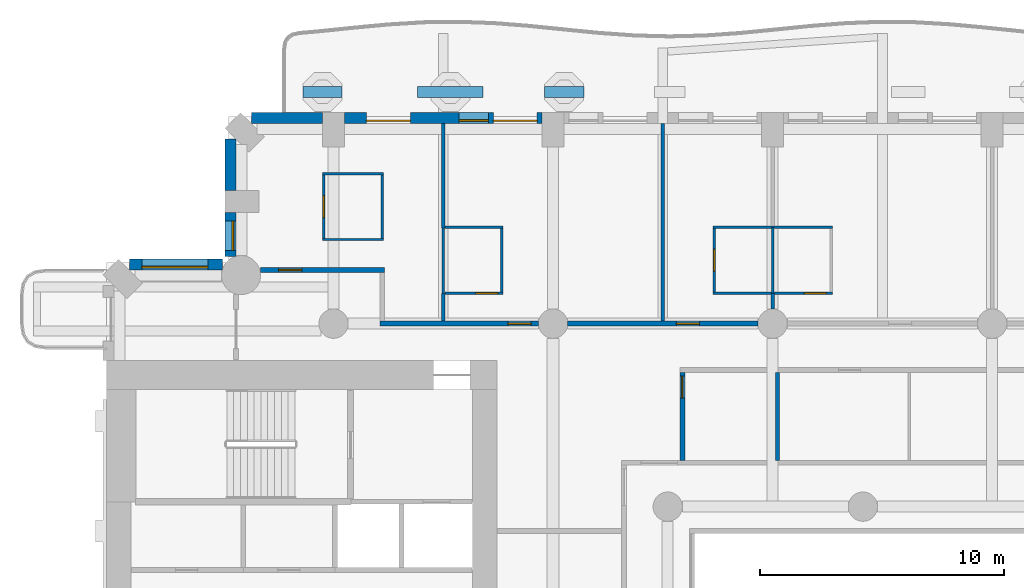
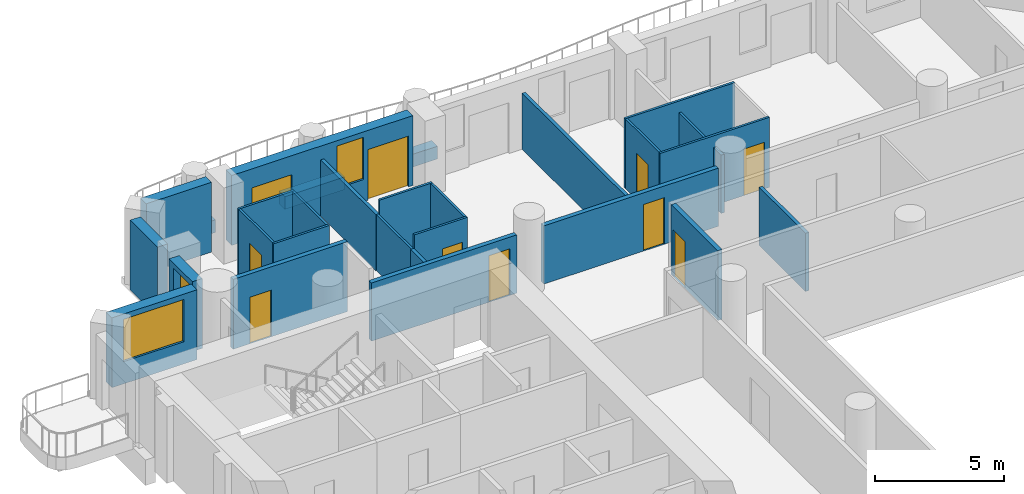
# One storey, part 8 of 20: 29 walls, 10 doors, 3 windows, 13 openings.
"""IFC4 building model written with IfcOpenShell, lengths in metres."""

from ifc_helpers import new_model, si_unit, direction, frame, frame_2d, origin, place, context, subcontext, project, spatial, rectangle, extrude, material, layer, layer_set, type_object, element, fill, save


model = new_model("IFC4")

# Units and contexts
model_context = context("Model", 3, precision=1e-05, world=origin(), true_north=direction((0.0, 1.0)))
body_context = subcontext(model_context, "Body", "Model", "MODEL_VIEW")
ifc_project = project(units=[si_unit("LENGTHUNIT", "METRE"), si_unit("AREAUNIT", "SQUARE_METRE"), si_unit("VOLUMEUNIT", "CUBIC_METRE"), si_unit("PLANEANGLEUNIT", "RADIAN"), si_unit("MASSUNIT", "GRAM", prefix="KILO")], contexts=[model_context])

# Site, building, storey
site_placement = place(None, origin())
site = spatial("IfcSite", under=ifc_project, at=site_placement, CompositionType="ELEMENT")
building_placement = place(site_placement, origin())
building = spatial("IfcBuilding", under=site, at=building_placement, Name="Cypress Arch Tower", CompositionType="ELEMENT")
storey_placement = place(building_placement, frame((0.0, 0.0, 87.89990234375)))
storey = spatial("IfcBuildingStorey", under=building, at=storey_placement, Name="L16", CompositionType="ELEMENT", Elevation=87.89990234375)

# Walls
ifc_material_1 = material(Name="Concrete C40/50, waterproofed", Category="concrete")
ifc_layer_1 = layer(ifc_material_1, 0.449951171875)
ifc_layer_set_1 = layer_set([ifc_layer_1], Name="Balcony planter wall PW450")
wall_type_1 = type_object("IfcWallType", Name="Balcony planter wall PW450", PredefinedType="SOLIDWALL", material=ifc_layer_set_1)
wall_1_placement = place(storey_placement, frame((-10.4375, 27.0, 0.0), z_axis=(0.0, 0.0, 1.0), x_axis=(-1.0, 0.0, 0.0)))
element("IfcWall", 1, at=wall_1_placement, inside=storey, type_object=wall_type_1, Name="Balcony planter wall L16-A08.4", PredefinedType="SOLIDWALL", context=body_context, shape_type="SweptSolid", body=[
    extrude(rectangle(XDim=1.612548828125, YDim=0.449951171875, at=frame_2d((0.80615234375, 0.0))), origin(), (0.0, 0.0, 1.0), 0.60009765625),
])
wall_2_placement = place(storey_placement, frame((-14.574951171875, 27.0, 0.0), z_axis=(0.0, 0.0, 1.0), x_axis=(-1.0, 0.0, 0.0)))
element("IfcWall", 2, at=wall_2_placement, inside=storey, type_object=wall_type_1, Name="Balcony planter wall L16-A08.5", PredefinedType="SOLIDWALL", context=body_context, shape_type="SweptSolid", body=[
    extrude(rectangle(XDim=2.675048828125, YDim=0.449951171875, at=frame_2d((1.33740234375, 0.0))), origin(), (0.0, 0.0, 1.0), 0.60009765625),
])
wall_3_placement = place(storey_placement, frame((-20.35009765625, 27.0, 0.0), z_axis=(0.0, 0.0, 1.0), x_axis=(-1.0, 0.0, 0.0)))
element("IfcWall", 3, at=wall_3_placement, inside=storey, type_object=wall_type_1, Name="Balcony planter wall L16-A08.6", PredefinedType="SOLIDWALL", context=body_context, shape_type="SweptSolid", body=[
    extrude(rectangle(XDim=1.599853515625, YDim=0.449951171875, at=frame_2d((0.7998046875, 0.0))), origin(), (0.0, 0.0, 1.0), 0.60009765625),
])

# Wall, openings, doors, window
ifc_material_2 = material(Name="Brick (red buff blend)", Category="masonry")
ifc_layer_2 = layer(ifc_material_2, 0.449951171875)
ifc_layer_set_2 = layer_set([ifc_layer_2], Name="Brick pier and spandrel wall BW450")
wall_type_2 = type_object("IfcWallType", Name="Brick pier and spandrel wall BW450", PredefinedType="SOLIDWALL", material=ifc_layer_set_2)
wall_4_placement = place(storey_placement, frame((-12.14990234375, 25.925048828125, 0.0), z_axis=(0.0, 0.0, 1.0), x_axis=(-1.0, 0.0, 0.0)))
wall_4 = element("IfcWall", 4, at=wall_4_placement, inside=storey, type_object=wall_type_2, Name="Brick wall L16 A08.3", PredefinedType="SOLIDWALL", context=body_context, shape_type="SweptSolid", body=[
    extrude(rectangle(XDim=8.10009765625, YDim=0.449951171875, at=frame_2d((4.050048828125, 0.0))), origin(), (0.0, 0.0, 1.0), 3.300048828125),
])
opening_1_placement = place(wall_4_placement, frame((0.199951171875, 0.0, 0.0)))
opening_1 = element("IfcOpeningElement", 5, at=opening_1_placement, cuts=wall_4, Name="Opening D-L16-A08.3.1", PredefinedType="OPENING", context=body_context, shape_type="SweptSolid", body=[
    extrude(rectangle(XDim=1.800048828125, YDim=2.39990234375, at=frame_2d((0.89990234375, 1.199951171875))), frame((0.0, 0.23486328125, 0.0), z_axis=(0.0, -1.0, 0.0), x_axis=(1.0, 0.0, 0.0)), (0.0, 0.0, 1.0), 0.469970703125),
])
opening_2_placement = place(wall_4_placement, frame((2.199951171875, 0.0, 1.050048828125)))
opening_2 = element("IfcOpeningElement", 6, at=opening_2_placement, cuts=wall_4, Name="Opening W120HD", PredefinedType="OPENING", context=body_context, shape_type="SweptSolid", body=[
    extrude(rectangle(XDim=1.199951171875, YDim=2.0, at=frame_2d((0.60009765625, 1.0))), frame((0.0, 0.23486328125, 0.0), z_axis=(0.0, -1.0, 0.0), x_axis=(1.0, 0.0, 0.0)), (0.0, 0.0, 1.0), 0.469970703125),
])
opening_3_placement = place(wall_4_placement, frame((5.39990234375, 0.0, 0.0)))
opening_3 = element("IfcOpeningElement", 7, at=opening_3_placement, cuts=wall_4, Name="Opening D-L16-A08.3.2", PredefinedType="OPENING", context=body_context, shape_type="SweptSolid", body=[
    extrude(rectangle(XDim=1.800048828125, YDim=2.39990234375, at=frame_2d((0.89990234375, 1.199951171875))), frame((0.0, 0.23486328125, 0.0), z_axis=(0.0, -1.0, 0.0), x_axis=(1.0, 0.0, 0.0)), (0.0, 0.0, 1.0), 0.469970703125),
])
ifc_material_3 = material(Name="Anodised aluminium, bronze finish, laminated low-emissivity double glazing, large-missile impact rated", Category="aluminium")
door_type_1 = type_object("IfcDoorType", Name="Balcony sliding door 1800x2400", OperationType="SLIDING_TO_LEFT", PredefinedType="DOOR", material=ifc_material_3)
door_1_placement = place(opening_1_placement, origin())
door_1 = element("IfcDoor", 8, at=door_1_placement, inside=storey, type_object=door_type_1, Name="Balcony door L16 A08.3.1", OperationType="SLIDING_TO_LEFT", OverallHeight=2.39990234375, OverallWidth=1.800048828125, PredefinedType="DOOR", context=body_context, shape_type="SweptSolid", body=[
    extrude(rectangle(XDim=1.800048828125, YDim=2.39990234375, at=frame_2d((0.89990234375, 1.199951171875))), frame((0.0, 0.1298828125, 0.0), z_axis=(0.0, -1.0, 0.0), x_axis=(1.0, 0.0, 0.0)), (0.0, 0.0, 1.0), 0.050048828125),
])
fill(opening_1, door_1)
door_2_placement = place(opening_3_placement, origin())
door_2 = element("IfcDoor", 9, at=door_2_placement, inside=storey, type_object=door_type_1, Name="Balcony door L16 A08.3.2", OperationType="SLIDING_TO_LEFT", OverallHeight=2.39990234375, OverallWidth=1.800048828125, PredefinedType="DOOR", context=body_context, shape_type="SweptSolid", body=[
    extrude(rectangle(XDim=1.800048828125, YDim=2.39990234375, at=frame_2d((0.89990234375, 1.199951171875))), frame((0.0, 0.1298828125, 0.0), z_axis=(0.0, -1.0, 0.0), x_axis=(1.0, 0.0, 0.0)), (0.0, 0.0, 1.0), 0.050048828125),
])
fill(opening_3, door_2)
ifc_material_4 = material(Name="Anodised aluminium, bronze finish, laminated low-emissivity double glazing, large-missile impact rated", Category="aluminium")
window_type_1 = type_object("IfcWindowType", Name="Window Hotel 1200x2000 debris-rated", PartitioningType="SINGLE_PANEL", PredefinedType="WINDOW", material=ifc_material_4)
window_1_placement = place(opening_2_placement, origin())
window_1 = element("IfcWindow", 10, at=window_1_placement, inside=storey, type_object=window_type_1, Name="Window L16 A08.3.1", OverallHeight=2.0, OverallWidth=1.199951171875, PartitioningType="SINGLE_PANEL", PredefinedType="WINDOW", context=body_context, shape_type="SweptSolid", body=[
    extrude(rectangle(XDim=1.199951171875, YDim=2.0, at=frame_2d((0.60009765625, 1.0))), frame((0.0, 0.135009765625, 0.0), z_axis=(0.0, -1.0, 0.0), x_axis=(1.0, 0.0, 0.0)), (0.0, 0.0, 1.0), 0.06005859375),
])
fill(opening_2, window_1)

# Walls
wall_5_placement = place(storey_placement, frame((-21.14990234375, 25.925048828125, 0.0), z_axis=(0.0, 0.0, 1.0), x_axis=(-1.0, 0.0, 0.0)))
element("IfcWall", 11, at=wall_5_placement, inside=storey, type_object=wall_type_2, Name="Brick wall L16 A08.4", PredefinedType="SOLIDWALL", context=body_context, shape_type="SweptSolid", body=[
    extrude(rectangle(XDim=2.913818359375, YDim=0.449951171875, at=frame_2d((1.45703125, 0.0))), origin(), (0.0, 0.0, 1.0), 3.300048828125),
])
wall_6_placement = place(storey_placement, frame((-24.925048828125, 25.063720703125, 0.0), z_axis=(0.0, 0.0, 1.0), x_axis=(0.0, -1.0, 0.0)))
element("IfcWall", 12, at=wall_6_placement, inside=storey, type_object=wall_type_2, Name="Brick wall L16 A09.0", PredefinedType="SOLIDWALL", context=body_context, shape_type="SweptSolid", body=[
    extrude(rectangle(XDim=2.11376953125, YDim=0.449951171875, at=frame_2d((1.056884765625, 0.0))), origin(), (0.0, 0.0, 1.0), 3.300048828125),
])

# Wall, opening, window
wall_7_placement = place(storey_placement, frame((-24.925048828125, 22.050048828125, 0.0), z_axis=(0.0, 0.0, 1.0), x_axis=(0.0, -1.0, 0.0)))
wall_7 = element("IfcWall", 13, at=wall_7_placement, inside=storey, type_object=wall_type_2, Name="Brick wall L16 A09.1", PredefinedType="SOLIDWALL", context=body_context, shape_type="SweptSolid", body=[
    extrude(rectangle(XDim=1.79150390625, YDim=0.449951171875, at=frame_2d((0.895751953125, 0.0))), origin(), (0.0, 0.0, 1.0), 3.300048828125),
])
opening_4_placement = place(wall_7_placement, frame((0.35009765625, 0.0, 1.050048828125)))
opening_4 = element("IfcOpeningElement", 14, at=opening_4_placement, cuts=wall_7, Name="Opening W120H", PredefinedType="OPENING", context=body_context, shape_type="SweptSolid", body=[
    extrude(rectangle(XDim=1.199951171875, YDim=2.0, at=frame_2d((0.60009765625, 1.0))), frame((0.0, 0.23486328125, 0.0), z_axis=(0.0, -1.0, 0.0), x_axis=(1.0, 0.0, 0.0)), (0.0, 0.0, 1.0), 0.469970703125),
])
ifc_material_5 = material(Name="Anodised aluminium, bronze finish, clear low-emissivity double glazing", Category="aluminium")
window_type_2 = type_object("IfcWindowType", Name="Window Hotel 1200x2000", PartitioningType="SINGLE_PANEL", PredefinedType="WINDOW", material=ifc_material_5)
window_2_placement = place(opening_4_placement, origin())
window_2 = element("IfcWindow", 15, at=window_2_placement, inside=storey, type_object=window_type_2, Name="Window L16 A09.1.1", OverallHeight=2.0, OverallWidth=1.199951171875, PartitioningType="SINGLE_PANEL", PredefinedType="WINDOW", context=body_context, shape_type="SweptSolid", body=[
    extrude(rectangle(XDim=1.199951171875, YDim=2.0, at=frame_2d((0.60009765625, 1.0))), frame((0.0, 0.135009765625, 0.0), z_axis=(0.0, -1.0, 0.0), x_axis=(1.0, 0.0, 0.0)), (0.0, 0.0, 1.0), 0.06005859375),
])
fill(opening_4, window_2)

wall_8_placement = place(storey_placement, frame((-25.258544921875, 19.925048828125, 0.0), z_axis=(0.0, 0.0, 1.0), x_axis=(-1.0, 0.0, 0.0)))
wall_8 = element("IfcWall", 16, at=wall_8_placement, inside=storey, type_object=wall_type_2, Name="Brick wall L16 A10.0", PredefinedType="SOLIDWALL", context=body_context, shape_type="SweptSolid", body=[
    extrude(rectangle(XDim=3.80517578125, YDim=0.449951171875, at=frame_2d((1.902587890625, 0.0))), origin(), (0.0, 0.0, 1.0), 3.300048828125),
])
opening_5_placement = place(wall_8_placement, frame((0.591552734375, 0.0, 1.050048828125)))
opening_5 = element("IfcOpeningElement", 17, at=opening_5_placement, cuts=wall_8, Name="Opening W270H", PredefinedType="OPENING", context=body_context, shape_type="SweptSolid", body=[
    extrude(rectangle(XDim=2.699951171875, YDim=2.0, at=frame_2d((1.35009765625, 1.0))), frame((0.0, 0.23486328125, 0.0), z_axis=(0.0, -1.0, 0.0), x_axis=(1.0, 0.0, 0.0)), (0.0, 0.0, 1.0), 0.469970703125),
])
ifc_material_6 = material(Name="Anodised aluminium, bronze finish, clear low-emissivity double glazing", Category="aluminium")
window_type_3 = type_object("IfcWindowType", Name="Window Hotel 2700x2000", PartitioningType="SINGLE_PANEL", PredefinedType="WINDOW", material=ifc_material_6)
window_3_placement = place(opening_5_placement, origin())
window_3 = element("IfcWindow", 18, at=window_3_placement, inside=storey, type_object=window_type_3, Name="Window L16 A10.0.1", OverallHeight=2.0, OverallWidth=2.699951171875, PartitioningType="SINGLE_PANEL", PredefinedType="WINDOW", context=body_context, shape_type="SweptSolid", body=[
    extrude(rectangle(XDim=2.699951171875, YDim=2.0, at=frame_2d((1.35009765625, 1.0))), frame((0.0, 0.135009765625, 0.0), z_axis=(0.0, -1.0, 0.0), x_axis=(1.0, 0.0, 0.0)), (0.0, 0.0, 1.0), 0.06005859375),
])
fill(opening_5, window_3)

# Wall, opening, door
ifc_material_7 = material(Name="Concrete blockwork, plastered, rated", Category="masonry")
ifc_layer_3 = layer(ifc_material_7, 0.199951171875)
ifc_layer_set_3 = layer_set([ifc_layer_3], Name="Corridor wall FW200")
wall_type_3 = type_object("IfcWallType", Name="Corridor wall FW200", PredefinedType="PARTITIONING", material=ifc_layer_set_3)
wall_9_placement = place(storey_placement, frame((-23.7001953125, 19.699951171875, 0.0), z_axis=(0.0, 0.0, 1.0), x_axis=(1.0, 0.0, 0.0)))
wall_9 = element("IfcWall", 19, at=wall_9_placement, inside=storey, type_object=wall_type_3, Name="Corridor wall", PredefinedType="PARTITIONING", context=body_context, shape_type="SweptSolid", body=[
    extrude(rectangle(XDim=5.10009765625, YDim=0.199951171875, at=frame_2d((2.550048828125, 0.0))), origin(), (0.0, 0.0, 1.0), 3.300048828125),
])
opening_6_placement = place(wall_9_placement, frame((0.75, 0.0, 0.0)))
opening_6 = element("IfcOpeningElement", 20, at=opening_6_placement, cuts=wall_9, Name="Opening D02", PredefinedType="OPENING", context=body_context, shape_type="SweptSolid", body=[
    extrude(rectangle(XDim=0.949951171875, YDim=2.199951171875, at=frame_2d((0.47509765625, 1.10009765625))), frame((0.0, 0.10986328125, 0.0), z_axis=(0.0, -1.0, 0.0), x_axis=(1.0, 0.0, 0.0)), (0.0, 0.0, 1.0), 0.219970703125),
])
ifc_material_8 = material(Name="Timber flush door, fire resisting", Category="wood")
door_type_2 = type_object("IfcDoorType", Name="Room door D02 950x2200", OperationType="SINGLE_SWING_LEFT", PredefinedType="DOOR", material=ifc_material_8)
door_3_placement = place(opening_6_placement, origin())
door_3 = element("IfcDoor", 21, at=door_3_placement, inside=storey, type_object=door_type_2, Name="Room door", OperationType="SINGLE_SWING_LEFT", OverallHeight=2.199951171875, OverallWidth=0.949951171875, PredefinedType="DOOR", context=body_context, shape_type="SweptSolid", body=[
    extrude(rectangle(XDim=0.949951171875, YDim=2.199951171875, at=frame_2d((0.47509765625, 1.10009765625))), frame((0.0, 0.02490234375, 0.0), z_axis=(0.0, -1.0, 0.0), x_axis=(1.0, 0.0, 0.0)), (0.0, 0.0, 1.0), 0.050048828125),
])
fill(opening_6, door_3)

wall_10_placement = place(storey_placement, frame((-18.800048828125, 17.5, 0.0), z_axis=(0.0, 0.0, 1.0), x_axis=(1.0, 0.0, 0.0)))
wall_10 = element("IfcWall", 22, at=wall_10_placement, inside=storey, type_object=wall_type_3, Name="Corridor wall", PredefinedType="PARTITIONING", context=body_context, shape_type="SweptSolid", body=[
    extrude(rectangle(XDim=6.5, YDim=0.199951171875, at=frame_2d((3.25, 0.0))), origin(), (0.0, 0.0, 1.0), 2.75),
])
opening_7_placement = place(wall_10_placement, frame((5.25, 0.0, 0.0)))
opening_7 = element("IfcOpeningElement", 23, at=opening_7_placement, cuts=wall_10, Name="Opening D02", PredefinedType="OPENING", context=body_context, shape_type="SweptSolid", body=[
    extrude(rectangle(XDim=0.949951171875, YDim=2.199951171875, at=frame_2d((0.47509765625, 1.10009765625))), frame((0.0, 0.10986328125, 0.0), z_axis=(0.0, -1.0, 0.0), x_axis=(1.0, 0.0, 0.0)), (0.0, 0.0, 1.0), 0.219970703125),
])
door_4_placement = place(opening_7_placement, origin())
door_4 = element("IfcDoor", 24, at=door_4_placement, inside=storey, type_object=door_type_2, Name="Room door", OperationType="SINGLE_SWING_RIGHT", OverallHeight=2.199951171875, OverallWidth=0.949951171875, PredefinedType="DOOR", context=body_context, shape_type="SweptSolid", body=[
    extrude(rectangle(XDim=0.949951171875, YDim=2.199951171875, at=frame_2d((0.47509765625, 1.10009765625))), frame((0.0, 0.02490234375, 0.0), z_axis=(0.0, -1.0, 0.0), x_axis=(1.0, 0.0, 0.0)), (0.0, 0.0, 1.0), 0.050048828125),
])
fill(opening_7, door_4)

wall_11_placement = place(storey_placement, frame((-11.10009765625, 17.5, 0.0), z_axis=(0.0, 0.0, 1.0), x_axis=(1.0, 0.0, 0.0)))
wall_11 = element("IfcWall", 25, at=wall_11_placement, inside=storey, type_object=wall_type_3, Name="Corridor wall", PredefinedType="PARTITIONING", context=body_context, shape_type="SweptSolid", body=[
    extrude(rectangle(XDim=7.800048828125, YDim=0.199951171875, at=frame_2d((3.89990234375, 0.0))), origin(), (0.0, 0.0, 1.0), 2.75),
])
opening_8_placement = place(wall_11_placement, frame((4.449951171875, 0.0, 0.0)))
opening_8 = element("IfcOpeningElement", 26, at=opening_8_placement, cuts=wall_11, Name="Opening D02", PredefinedType="OPENING", context=body_context, shape_type="SweptSolid", body=[
    extrude(rectangle(XDim=0.949951171875, YDim=2.199951171875, at=frame_2d((0.47509765625, 1.10009765625))), frame((0.0, 0.10986328125, 0.0), z_axis=(0.0, -1.0, 0.0), x_axis=(1.0, 0.0, 0.0)), (0.0, 0.0, 1.0), 0.219970703125),
])
door_5_placement = place(opening_8_placement, origin())
door_5 = element("IfcDoor", 27, at=door_5_placement, inside=storey, type_object=door_type_2, Name="Room door", OperationType="SINGLE_SWING_LEFT", OverallHeight=2.199951171875, OverallWidth=0.949951171875, PredefinedType="DOOR", context=body_context, shape_type="SweptSolid", body=[
    extrude(rectangle(XDim=0.949951171875, YDim=2.199951171875, at=frame_2d((0.47509765625, 1.10009765625))), frame((0.0, 0.02490234375, 0.0), z_axis=(0.0, -1.0, 0.0), x_axis=(1.0, 0.0, 0.0)), (0.0, 0.0, 1.0), 0.050048828125),
])
fill(opening_8, door_5)

wall_12_placement = place(storey_placement, frame((-6.39990234375, 11.89990234375, 0.0), z_axis=(0.0, 0.0, 1.0), x_axis=(0.0, 1.0, 0.0)))
wall_12 = element("IfcWall", 28, at=wall_12_placement, inside=storey, type_object=wall_type_3, Name="Corridor wall", PredefinedType="PARTITIONING", context=body_context, shape_type="SweptSolid", body=[
    extrude(rectangle(XDim=3.60009765625, YDim=0.199951171875, at=frame_2d((1.800048828125, 0.0))), origin(), (0.0, 0.0, 1.0), 3.300048828125),
])
opening_9_placement = place(wall_12_placement, frame((2.550048828125, 0.0, 0.0)))
opening_9 = element("IfcOpeningElement", 29, at=opening_9_placement, cuts=wall_12, Name="Opening D05", PredefinedType="OPENING", context=body_context, shape_type="SweptSolid", body=[
    extrude(rectangle(XDim=0.89990234375, YDim=2.199951171875, at=frame_2d((0.449951171875, 1.10009765625))), frame((0.0, 0.10986328125, 0.0), z_axis=(0.0, -1.0, 0.0), x_axis=(1.0, 0.0, 0.0)), (0.0, 0.0, 1.0), 0.219970703125),
])
ifc_material_9 = material(Name="Timber flush door", Category="wood")
door_type_3 = type_object("IfcDoorType", Name="Service door D05 900x2200", OperationType="SINGLE_SWING_LEFT", PredefinedType="DOOR", material=ifc_material_9)
door_6_placement = place(opening_9_placement, origin())
door_6 = element("IfcDoor", 30, at=door_6_placement, inside=storey, type_object=door_type_3, Name="Service door", OperationType="SINGLE_SWING_LEFT", OverallHeight=2.199951171875, OverallWidth=0.89990234375, PredefinedType="DOOR", context=body_context, shape_type="SweptSolid", body=[
    extrude(rectangle(XDim=0.89990234375, YDim=2.199951171875, at=frame_2d((0.449951171875, 1.10009765625))), frame((0.0, 0.02490234375, 0.0), z_axis=(0.0, -1.0, 0.0), x_axis=(1.0, 0.0, 0.0)), (0.0, 0.0, 1.0), 0.050048828125),
])
fill(opening_9, door_6)

# Walls
ifc_material_10 = material(Name="Blockwork, plastered both sides", Category="masonry")
ifc_layer_4 = layer(ifc_material_10, 0.14990234375)
ifc_layer_set_4 = layer_set([ifc_layer_4], Name="Partition PW150")
wall_type_4 = type_object("IfcWallType", Name="Partition PW150", PredefinedType="PARTITIONING", material=ifc_layer_set_4)
wall_13_placement = place(storey_placement, frame((-16.199951171875, 17.60009765625, 0.0), z_axis=(0.0, 0.0, 1.0), x_axis=(0.0, 1.0, 0.0)))
element("IfcWall", 31, at=wall_13_placement, inside=storey, type_object=wall_type_4, Name="Partition", PredefinedType="PARTITIONING", context=body_context, shape_type="SweptSolid", body=[
    extrude(rectangle(XDim=1.1298828125, YDim=0.14990234375, at=frame_2d((0.56494140625, 0.0))), origin(), (0.0, 0.0, 1.0), 2.650146484375),
])
wall_14_placement = place(storey_placement, frame((-16.199951171875, 21.429931640625, 0.0), z_axis=(0.0, 0.0, 1.0), x_axis=(0.0, 1.0, 0.0)))
element("IfcWall", 32, at=wall_14_placement, inside=storey, type_object=wall_type_4, Name="Partition", PredefinedType="PARTITIONING", context=body_context, shape_type="SweptSolid", body=[
    extrude(rectangle(XDim=4.27001953125, YDim=0.14990234375, at=frame_2d((2.135009765625, 0.0))), origin(), (0.0, 0.0, 1.0), 2.650146484375),
])
wall_15_placement = place(storey_placement, frame((-7.199951171875, 17.60009765625, 0.0), z_axis=(0.0, 0.0, 1.0), x_axis=(0.0, 1.0, 0.0)))
element("IfcWall", 33, at=wall_15_placement, inside=storey, type_object=wall_type_4, Name="Partition", PredefinedType="PARTITIONING", context=body_context, shape_type="SweptSolid", body=[
    extrude(rectangle(XDim=8.099853515625, YDim=0.14990234375, at=frame_2d((4.0498046875, 0.0))), origin(), (0.0, 0.0, 1.0), 2.650146484375),
])
wall_16_placement = place(storey_placement, frame((-2.699951171875, 18.10009765625, 0.0), z_axis=(0.0, 0.0, 1.0), x_axis=(0.0, 1.0, 0.0)))
element("IfcWall", 34, at=wall_16_placement, inside=storey, type_object=wall_type_4, Name="Partition", PredefinedType="PARTITIONING", context=body_context, shape_type="SweptSolid", body=[
    extrude(rectangle(XDim=0.6298828125, YDim=0.14990234375, at=frame_2d((0.31494140625, 0.0))), origin(), (0.0, 0.0, 1.0), 2.75),
])
wall_17_placement = place(storey_placement, frame((-2.5, 11.89990234375, 0.0), z_axis=(0.0, 0.0, 1.0), x_axis=(0.0, 1.0, 0.0)))
element("IfcWall", 35, at=wall_17_placement, inside=storey, type_object=wall_type_4, Name="Partition", PredefinedType="PARTITIONING", context=body_context, shape_type="SweptSolid", body=[
    extrude(rectangle(XDim=3.60009765625, YDim=0.14990234375, at=frame_2d((1.800048828125, 0.0))), origin(), (0.0, 0.0, 1.0), 2.75),
])

# Wall, opening, door
ifc_material_11 = material(Name="Moisture resistant board on steel studs, tiled", Category="steel")
ifc_layer_5 = layer(ifc_material_11, 0.10009765625)
ifc_layer_set_5 = layer_set([ifc_layer_5], Name="Wet wall PW100")
wall_type_5 = type_object("IfcWallType", Name="Wet wall PW100", PredefinedType="PARTITIONING", material=ifc_layer_set_5)
wall_18_placement = place(storey_placement, frame((-21.10009765625, 21.0, 0.0), z_axis=(0.0, 0.0, 1.0), x_axis=(0.0, 1.0, 0.0)))
wall_18 = element("IfcWall", 36, at=wall_18_placement, inside=storey, type_object=wall_type_5, Name="Wet wall", PredefinedType="PARTITIONING", context=body_context, shape_type="SweptSolid", body=[
    extrude(rectangle(XDim=2.60009765625, YDim=0.10009765625, at=frame_2d((1.300048828125, 0.0))), origin(), (0.0, 0.0, 1.0), 3.300048828125),
])
opening_10_placement = place(wall_18_placement, frame((0.85009765625, 0.0, 0.0)))
opening_10 = element("IfcOpeningElement", 37, at=opening_10_placement, cuts=wall_18, Name="Opening D03", PredefinedType="OPENING", context=body_context, shape_type="SweptSolid", body=[
    extrude(rectangle(XDim=0.89990234375, YDim=2.199951171875, at=frame_2d((0.449951171875, 1.10009765625))), frame((0.0, 0.06005859375, 0.0), z_axis=(0.0, -1.0, 0.0), x_axis=(1.0, 0.0, 0.0)), (0.0, 0.0, 1.0), 0.1201171875),
])
ifc_material_12 = material(Name="Timber flush door, moisture resistant", Category="wood")
door_type_4 = type_object("IfcDoorType", Name="Bathroom door D03 900x2200", OperationType="SINGLE_SWING_LEFT", PredefinedType="DOOR", material=ifc_material_12)
door_7_placement = place(opening_10_placement, origin())
door_7 = element("IfcDoor", 38, at=door_7_placement, inside=storey, type_object=door_type_4, Name="Bathroom door", OperationType="SINGLE_SWING_LEFT", OverallHeight=2.199951171875, OverallWidth=0.89990234375, PredefinedType="DOOR", context=body_context, shape_type="SweptSolid", body=[
    extrude(rectangle(XDim=0.89990234375, YDim=2.199951171875, at=frame_2d((0.449951171875, 1.10009765625))), frame((0.0, 0.02490234375, 0.0), z_axis=(0.0, -1.0, 0.0), x_axis=(1.0, 0.0, 0.0)), (0.0, 0.0, 1.0), 0.050048828125),
])
fill(opening_10, door_7)

# Walls
for number, where, z_axis, x_axis, name in (
    (39, (-21.14990234375, 20.949951171875, 0.0), (0.0, 0.0, 1.0), (1.0, 0.0, 0.0), "Wet wall"),
    (40, (-21.14990234375, 23.64990234375, 0.0), (0.0, 0.0, 1.0), (1.0, 0.0, 0.0), "Wet wall"),
):
    element("IfcWall", number, at=place(storey_placement, frame(where, z_axis=z_axis, x_axis=x_axis)), inside=storey, type_object=wall_type_5, Name=name, PredefinedType="PARTITIONING", context=body_context, shape_type="SweptSolid", body=[
        extrude(rectangle(XDim=2.5, YDim=0.10009765625, at=frame_2d((1.25, 0.0))), origin(), (0.0, 0.0, 1.0), 3.300048828125),
    ])
wall_19_placement = place(storey_placement, frame((-18.699951171875, 21.0, 0.0), z_axis=(0.0, 0.0, 1.0), x_axis=(0.0, 1.0, 0.0)))
element("IfcWall", 41, at=wall_19_placement, inside=storey, type_object=wall_type_5, Name="Wet wall", PredefinedType="PARTITIONING", context=body_context, shape_type="SweptSolid", body=[
    extrude(rectangle(XDim=2.60009765625, YDim=0.10009765625, at=frame_2d((1.300048828125, 0.0))), origin(), (0.0, 0.0, 1.0), 3.300048828125),
])
wall_20_placement = place(storey_placement, frame((-16.199951171875, 18.72998046875, 0.0), z_axis=(0.0, 0.0, 1.0), x_axis=(0.0, 1.0, 0.0)))
element("IfcWall", 42, at=wall_20_placement, inside=storey, type_object=wall_type_5, Name="Wet wall", PredefinedType="PARTITIONING", context=body_context, shape_type="SweptSolid", body=[
    extrude(rectangle(XDim=2.699951171875, YDim=0.10009765625, at=frame_2d((1.35009765625, 0.0))), origin(), (0.0, 0.0, 1.0), 2.650146484375),
])

# Wall, opening, door
wall_21_placement = place(storey_placement, frame((-16.125, 18.75, 0.0), z_axis=(0.0, 0.0, 1.0), x_axis=(1.0, 0.0, 0.0)))
wall_21 = element("IfcWall", 43, at=wall_21_placement, inside=storey, type_object=wall_type_5, Name="Wet wall", PredefinedType="PARTITIONING", context=body_context, shape_type="SweptSolid", body=[
    extrude(rectangle(XDim=2.37109375, YDim=0.10009765625, at=frame_2d((1.185546875, 0.0))), origin(), (0.0, 0.0, 1.0), 3.300048828125),
])
opening_11_placement = place(wall_21_placement, frame((1.25, 0.0, 0.0)))
opening_11 = element("IfcOpeningElement", 44, at=opening_11_placement, cuts=wall_21, Name="Opening D03", PredefinedType="OPENING", context=body_context, shape_type="SweptSolid", body=[
    extrude(rectangle(XDim=0.89990234375, YDim=2.199951171875, at=frame_2d((0.449951171875, 1.10009765625))), frame((0.0, 0.06005859375, 0.0), z_axis=(0.0, -1.0, 0.0), x_axis=(1.0, 0.0, 0.0)), (0.0, 0.0, 1.0), 0.1201171875),
])
door_8_placement = place(opening_11_placement, origin())
door_8 = element("IfcDoor", 45, at=door_8_placement, inside=storey, type_object=door_type_4, Name="Bathroom door", OperationType="SINGLE_SWING_RIGHT", OverallHeight=2.199951171875, OverallWidth=0.89990234375, PredefinedType="DOOR", context=body_context, shape_type="SweptSolid", body=[
    extrude(rectangle(XDim=0.89990234375, YDim=2.199951171875, at=frame_2d((0.449951171875, 1.10009765625))), frame((0.0, 0.02490234375, 0.0), z_axis=(0.0, -1.0, 0.0), x_axis=(1.0, 0.0, 0.0)), (0.0, 0.0, 1.0), 0.050048828125),
])
fill(opening_11, door_8)

# Walls
wall_22_placement = place(storey_placement, frame((-16.125, 21.449951171875, 0.0), z_axis=(0.0, 0.0, 1.0), x_axis=(1.0, 0.0, 0.0)))
element("IfcWall", 46, at=wall_22_placement, inside=storey, type_object=wall_type_5, Name="Wet wall", PredefinedType="PARTITIONING", context=body_context, shape_type="SweptSolid", body=[
    extrude(rectangle(XDim=2.37109375, YDim=0.10009765625, at=frame_2d((1.185546875, 0.0))), origin(), (0.0, 0.0, 1.0), 3.300048828125),
])
wall_23_placement = place(storey_placement, frame((-13.803955078125, 18.800048828125, 0.0), z_axis=(0.0, 0.0, 1.0), x_axis=(0.0, 1.0, 0.0)))
element("IfcWall", 47, at=wall_23_placement, inside=storey, type_object=wall_type_5, Name="Wet wall", PredefinedType="PARTITIONING", context=body_context, shape_type="SweptSolid", body=[
    extrude(rectangle(XDim=2.599853515625, YDim=0.10009765625, at=frame_2d((1.2998046875, 0.0))), origin(), (0.0, 0.0, 1.0), 3.300048828125),
])

# Wall, opening, door
wall_24_placement = place(storey_placement, frame((-5.095947265625, 18.800048828125, 0.0), z_axis=(0.0, 0.0, 1.0), x_axis=(0.0, 1.0, 0.0)))
wall_24 = element("IfcWall", 48, at=wall_24_placement, inside=storey, type_object=wall_type_5, Name="Wet wall", PredefinedType="PARTITIONING", context=body_context, shape_type="SweptSolid", body=[
    extrude(rectangle(XDim=2.599853515625, YDim=0.10009765625, at=frame_2d((1.2998046875, 0.0))), origin(), (0.0, 0.0, 1.0), 3.300048828125),
])
opening_12_placement = place(wall_24_placement, frame((0.85009765625, 0.0, 0.0)))
opening_12 = element("IfcOpeningElement", 49, at=opening_12_placement, cuts=wall_24, Name="Opening D03", PredefinedType="OPENING", context=body_context, shape_type="SweptSolid", body=[
    extrude(rectangle(XDim=0.89990234375, YDim=2.199951171875, at=frame_2d((0.449951171875, 1.10009765625))), frame((0.0, 0.06005859375, 0.0), z_axis=(0.0, -1.0, 0.0), x_axis=(1.0, 0.0, 0.0)), (0.0, 0.0, 1.0), 0.1201171875),
])
door_9_placement = place(opening_12_placement, origin())
door_9 = element("IfcDoor", 50, at=door_9_placement, inside=storey, type_object=door_type_4, Name="Bathroom door", OperationType="SINGLE_SWING_LEFT", OverallHeight=2.199951171875, OverallWidth=0.89990234375, PredefinedType="DOOR", context=body_context, shape_type="SweptSolid", body=[
    extrude(rectangle(XDim=0.89990234375, YDim=2.199951171875, at=frame_2d((0.449951171875, 1.10009765625))), frame((0.0, 0.02490234375, 0.0), z_axis=(0.0, -1.0, 0.0), x_axis=(1.0, 0.0, 0.0)), (0.0, 0.0, 1.0), 0.050048828125),
])
fill(opening_12, door_9)

wall_25_placement = place(storey_placement, frame((-5.14599609375, 18.75, 0.0), z_axis=(0.0, 0.0, 1.0), x_axis=(1.0, 0.0, 0.0)))
wall_25 = element("IfcWall", 51, at=wall_25_placement, inside=storey, type_object=wall_type_5, Name="Wet wall", PredefinedType="PARTITIONING", context=body_context, shape_type="SweptSolid", body=[
    extrude(rectangle(XDim=4.89208984375, YDim=0.10009765625, at=frame_2d((2.446044921875, 0.0))), origin(), (0.0, 0.0, 1.0), 3.300048828125),
])
opening_13_placement = place(wall_25_placement, frame((3.75, 0.0, 0.0)))
opening_13 = element("IfcOpeningElement", 52, at=opening_13_placement, cuts=wall_25, Name="Opening D03", PredefinedType="OPENING", context=body_context, shape_type="SweptSolid", body=[
    extrude(rectangle(XDim=0.89990234375, YDim=2.199951171875, at=frame_2d((0.449951171875, 1.10009765625))), frame((0.0, 0.06005859375, 0.0), z_axis=(0.0, -1.0, 0.0), x_axis=(1.0, 0.0, 0.0)), (0.0, 0.0, 1.0), 0.1201171875),
])
door_10_placement = place(opening_13_placement, origin())
door_10 = element("IfcDoor", 53, at=door_10_placement, inside=storey, type_object=door_type_4, Name="Bathroom door", OperationType="SINGLE_SWING_RIGHT", OverallHeight=2.199951171875, OverallWidth=0.89990234375, PredefinedType="DOOR", context=body_context, shape_type="SweptSolid", body=[
    extrude(rectangle(XDim=0.89990234375, YDim=2.199951171875, at=frame_2d((0.449951171875, 1.10009765625))), frame((0.0, 0.02490234375, 0.0), z_axis=(0.0, -1.0, 0.0), x_axis=(1.0, 0.0, 0.0)), (0.0, 0.0, 1.0), 0.050048828125),
])
fill(opening_13, door_10)

# Walls
wall_26_placement = place(storey_placement, frame((-5.14599609375, 21.449951171875, 0.0), z_axis=(0.0, 0.0, 1.0), x_axis=(1.0, 0.0, 0.0)))
element("IfcWall", 54, at=wall_26_placement, inside=storey, type_object=wall_type_5, Name="Wet wall", PredefinedType="PARTITIONING", context=body_context, shape_type="SweptSolid", body=[
    extrude(rectangle(XDim=4.89208984375, YDim=0.10009765625, at=frame_2d((2.446044921875, 0.0))), origin(), (0.0, 0.0, 1.0), 3.300048828125),
])
wall_27_placement = place(storey_placement, frame((-2.699951171875, 18.72998046875, 0.0), z_axis=(0.0, 0.0, 1.0), x_axis=(0.0, 1.0, 0.0)))
element("IfcWall", 55, at=wall_27_placement, inside=storey, type_object=wall_type_5, Name="Wet wall", PredefinedType="PARTITIONING", context=body_context, shape_type="SweptSolid", body=[
    extrude(rectangle(XDim=2.719970703125, YDim=0.10009765625, at=frame_2d((1.35986328125, 0.0))), origin(), (0.0, 0.0, 1.0), 2.75),
])

save(model, "model.ifc")
